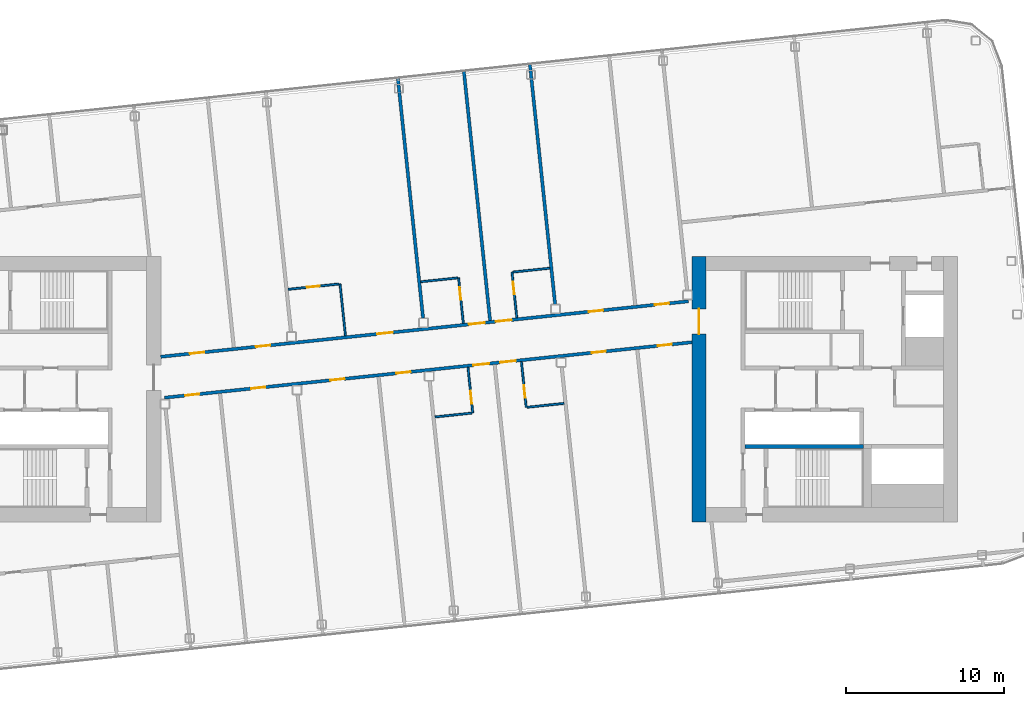
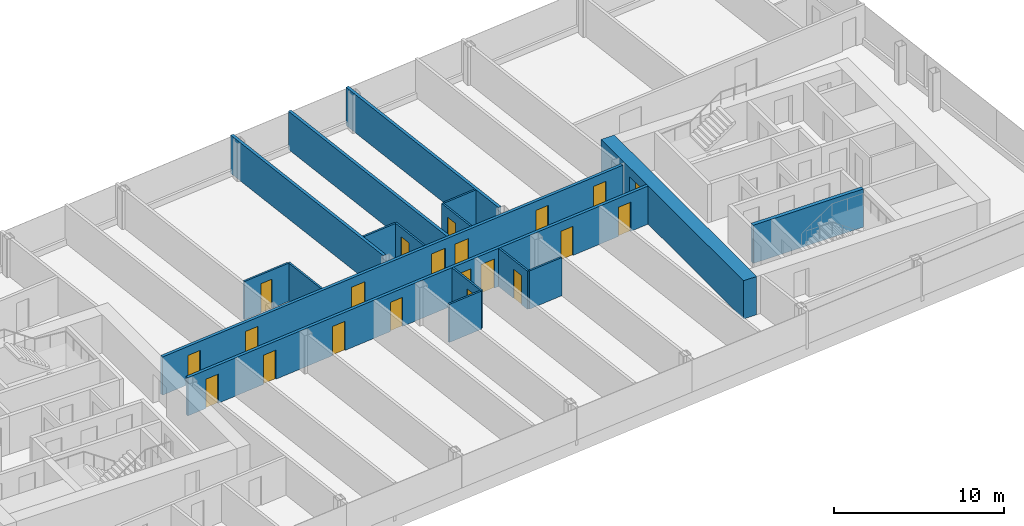
# One storey, part 16 of 27: 21 doors, 17 walls, 21 openings.
"""IFC4 building model written with IfcOpenShell, lengths in metres."""

from ifc_helpers import new_model, si_unit, direction, frame, frame_2d, origin, place, context, subcontext, project, spatial, rectangle, extrude, material, layer, layer_set, type_object, element, fill, save


model = new_model("IFC4")

# Units and contexts
model_context = context("Model", 3, precision=1e-05, world=origin(), true_north=direction((0.0, 1.0)))
body_context = subcontext(model_context, "Body", "Model", "MODEL_VIEW")
ifc_project = project(units=[si_unit("LENGTHUNIT", "METRE"), si_unit("AREAUNIT", "SQUARE_METRE"), si_unit("VOLUMEUNIT", "CUBIC_METRE"), si_unit("PLANEANGLEUNIT", "RADIAN"), si_unit("MASSUNIT", "GRAM", prefix="KILO")], contexts=[model_context])

# Site, building, storey
site_placement = place(None, origin())
site = spatial("IfcSite", under=ifc_project, at=site_placement, CompositionType="ELEMENT")
building_placement = place(site_placement, origin())
building = spatial("IfcBuilding", under=site, at=building_placement, Name="Hakoniwa Tower and Hamabe Station Hall", CompositionType="ELEMENT")
storey_placement = place(building_placement, frame((0.0, 0.0, 261.39990234375)))
storey = spatial("IfcBuildingStorey", under=building, at=storey_placement, Name="L74", CompositionType="ELEMENT", Elevation=261.39990234375)

# Walls
ifc_material_1 = material(Name="Gypsum board partition", Category="gypsum")
ifc_layer_1 = layer(ifc_material_1, 0.125)
ifc_layer_set_1 = layer_set([ifc_layer_1], Name="Bathroom Partition 125")
wall_type_1 = type_object("IfcWallType", Name="Bathroom Partition 125", PredefinedType="PARTITIONING", material=ifc_layer_set_1)
for number, where, z_axis, x_axis, name in (
    (1, (0.548828125, -1.76611328125, 0.0), (0.0, 0.0, 1.0), (0.994519751088, 0.104548862722, 0.0), "GW-L74-003"),
    (2, (6.37939453125, -1.153076171875, 0.0), (0.0, 0.0, 1.0), (0.994530605544, 0.104445558238, 0.0), "GW-L74-004"),
    (3, (-0.35009765625, 6.786865234375, 0.0), (0.0, 0.0, 1.0), (0.994519751088, 0.104548862722, 0.0), "GW-L74-007"),
    (4, (5.48046875, 7.399658203125, 0.0), (0.0, 0.0, 1.0), (0.994519751088, 0.104548862722, 0.0), "GW-L74-008"),
):
    element("IfcWall", number, at=place(storey_placement, frame(where, z_axis=z_axis, x_axis=x_axis)), inside=storey, type_object=wall_type_1, Name=name, PredefinedType="PARTITIONING", context=body_context, shape_type="SweptSolid", body=[
        extrude(rectangle(XDim=2.33740234375, YDim=0.125, at=frame_2d((1.168701171875, 0.0))), origin(), (0.0, 0.0, 1.0), 2.75),
    ])

# Wall, opening, door
wall_1_placement = place(storey_placement, frame((-8.745849609375, 6.306640625, 0.0), z_axis=(0.0, 0.0, 1.0), x_axis=(0.994522794159, 0.104519911488, 0.0)))
wall_1 = element("IfcWall", 5, at=wall_1_placement, inside=storey, type_object=wall_type_1, Name="GW-L74-009", PredefinedType="PARTITIONING", context=body_context, shape_type="SweptSolid", body=[
    extrude(rectangle(XDim=3.237548828125, YDim=0.125, at=frame_2d((1.61865234375, 0.0))), origin(), (0.0, 0.0, 1.0), 2.75),
])
opening_1_placement = place(wall_1_placement, frame((1.199951171875, 0.0, 0.0)))
opening_1 = element("IfcOpeningElement", 6, at=opening_1_placement, cuts=wall_1, Name="Opening GD-G5D1-21", PredefinedType="OPENING", context=body_context, shape_type="SweptSolid", body=[
    extrude(rectangle(XDim=0.800048828125, YDim=2.10009765625, at=frame_2d((0.39990234375, 1.050048828125))), frame((0.0, 0.072509765625, 0.0), z_axis=(0.0, -1.0, 0.0), x_axis=(1.0, 0.0, 0.0)), (0.0, 0.0, 1.0), 0.14501953125),
])
ifc_material_2 = material(Name="Timber door leaf", Category="wood")
door_type_1 = type_object("IfcDoorType", Name="Bathroom Door 800", OperationType="SINGLE_SWING_LEFT", PredefinedType="DOOR", material=ifc_material_2)
door_1_placement = place(opening_1_placement, origin())
door_1 = element("IfcDoor", 7, at=door_1_placement, inside=storey, type_object=door_type_1, Name="Door GD-G5D1-21", OperationType="SINGLE_SWING_RIGHT", OverallHeight=2.10009765625, OverallWidth=0.800048828125, PredefinedType="DOOR", context=body_context, shape_type="SweptSolid", body=[
    extrude(rectangle(XDim=0.800048828125, YDim=2.10009765625, at=frame_2d((0.39990234375, 1.050048828125))), frame((0.0, 0.02490234375, 0.0), z_axis=(0.0, -1.0, 0.0), x_axis=(1.0, 0.0, 0.0)), (0.0, 0.0, 1.0), 0.050048828125),
])
fill(opening_1, door_1)

# Wall
wall_2_placement = place(storey_placement, frame((-5.118896484375, 3.36962890625, 0.0), z_axis=(0.0, 0.0, 1.0), x_axis=(-0.104534592565, 0.994521251134, 0.0)))
element("IfcWall", 8, at=wall_2_placement, inside=storey, type_object=wall_type_1, Name="GW-L74-029", PredefinedType="PARTITIONING", context=body_context, shape_type="SweptSolid", body=[
    extrude(rectangle(XDim=3.300048828125, YDim=0.125, at=frame_2d((1.64990234375, 0.0))), origin(), (0.0, 0.0, 1.0), 2.75),
])

# Wall, opening, door
wall_3_placement = place(storey_placement, frame((2.935791015625, -1.51513671875, 0.0), z_axis=(0.0, 0.0, 1.0), x_axis=(-0.104562076147, 0.994518361938, 0.0)))
wall_3 = element("IfcWall", 9, at=wall_3_placement, inside=storey, type_object=wall_type_1, Name="GW-L74-033", PredefinedType="PARTITIONING", context=body_context, shape_type="SweptSolid", body=[
    extrude(rectangle(XDim=2.89990234375, YDim=0.125, at=frame_2d((1.449951171875, 0.0))), origin(), (0.0, 0.0, 1.0), 2.75),
])
opening_2_placement = place(wall_3_placement, frame((0.60009765625, 0.0, 0.0)))
opening_2 = element("IfcOpeningElement", 10, at=opening_2_placement, cuts=wall_3, Name="Opening GD-G5D1-31", PredefinedType="OPENING", context=body_context, shape_type="SweptSolid", body=[
    extrude(rectangle(XDim=0.800048828125, YDim=2.10009765625, at=frame_2d((0.39990234375, 1.050048828125))), frame((0.0, 0.072509765625, 0.0), z_axis=(0.0, -1.0, 0.0), x_axis=(1.0, 0.0, 0.0)), (0.0, 0.0, 1.0), 0.14501953125),
])
door_2_placement = place(opening_2_placement, origin())
door_2 = element("IfcDoor", 11, at=door_2_placement, inside=storey, type_object=door_type_1, Name="Door GD-G5D1-31", OperationType="SINGLE_SWING_RIGHT", OverallHeight=2.10009765625, OverallWidth=0.800048828125, PredefinedType="DOOR", context=body_context, shape_type="SweptSolid", body=[
    extrude(rectangle(XDim=0.800048828125, YDim=2.10009765625, at=frame_2d((0.39990234375, 1.050048828125))), frame((0.0, 0.02490234375, 0.0), z_axis=(0.0, -1.0, 0.0), x_axis=(1.0, 0.0, 0.0)), (0.0, 0.0, 1.0), 0.050048828125),
])
fill(opening_2, door_2)

wall_4_placement = place(storey_placement, frame((2.33984375, 4.153564453125, 0.0), z_axis=(0.0, 0.0, 1.0), x_axis=(-0.104470059912, 0.994528032074, 0.0)))
wall_4 = element("IfcWall", 12, at=wall_4_placement, inside=storey, type_object=wall_type_1, Name="GW-L74-034", PredefinedType="PARTITIONING", context=body_context, shape_type="SweptSolid", body=[
    extrude(rectangle(XDim=2.900146484375, YDim=0.125, at=frame_2d((1.4501953125, 0.0))), origin(), (0.0, 0.0, 1.0), 2.75),
])
opening_3_placement = place(wall_4_placement, frame((1.5, 0.0, 0.0)))
opening_3 = element("IfcOpeningElement", 13, at=opening_3_placement, cuts=wall_4, Name="Opening GD-G5D1-32", PredefinedType="OPENING", context=body_context, shape_type="SweptSolid", body=[
    extrude(rectangle(XDim=0.800048828125, YDim=2.10009765625, at=frame_2d((0.39990234375, 1.050048828125))), frame((0.0, 0.072509765625, 0.0), z_axis=(0.0, -1.0, 0.0), x_axis=(1.0, 0.0, 0.0)), (0.0, 0.0, 1.0), 0.14501953125),
])
door_3_placement = place(opening_3_placement, origin())
door_3 = element("IfcDoor", 14, at=door_3_placement, inside=storey, type_object=door_type_1, Name="Door GD-G5D1-32", OperationType="SINGLE_SWING_LEFT", OverallHeight=2.10009765625, OverallWidth=0.800048828125, PredefinedType="DOOR", context=body_context, shape_type="SweptSolid", body=[
    extrude(rectangle(XDim=0.800048828125, YDim=2.10009765625, at=frame_2d((0.39990234375, 1.050048828125))), frame((0.0, 0.02490234375, 0.0), z_axis=(0.0, -1.0, 0.0), x_axis=(1.0, 0.0, 0.0)), (0.0, 0.0, 1.0), 0.050048828125),
])
fill(opening_3, door_3)

wall_5_placement = place(storey_placement, frame((6.317138671875, -1.15966796875, 0.0), z_axis=(0.0, 0.0, 1.0), x_axis=(-0.104562076147, 0.994518361938, 0.0)))
wall_5 = element("IfcWall", 15, at=wall_5_placement, inside=storey, type_object=wall_type_1, Name="GW-L74-037", PredefinedType="PARTITIONING", context=body_context, shape_type="SweptSolid", body=[
    extrude(rectangle(XDim=2.89990234375, YDim=0.125, at=frame_2d((1.449951171875, 0.0))), origin(), (0.0, 0.0, 1.0), 2.75),
])
opening_4_placement = place(wall_5_placement, frame((0.60009765625, 0.0, 0.0)))
opening_4 = element("IfcOpeningElement", 16, at=opening_4_placement, cuts=wall_5, Name="Opening GD-G5D1-33", PredefinedType="OPENING", context=body_context, shape_type="SweptSolid", body=[
    extrude(rectangle(XDim=0.800048828125, YDim=2.10009765625, at=frame_2d((0.39990234375, 1.050048828125))), frame((0.0, 0.072509765625, 0.0), z_axis=(0.0, -1.0, 0.0), x_axis=(1.0, 0.0, 0.0)), (0.0, 0.0, 1.0), 0.14501953125),
])
door_4_placement = place(opening_4_placement, origin())
door_4 = element("IfcDoor", 17, at=door_4_placement, inside=storey, type_object=door_type_1, Name="Door GD-G5D1-33", OperationType="SINGLE_SWING_LEFT", OverallHeight=2.10009765625, OverallWidth=0.800048828125, PredefinedType="DOOR", context=body_context, shape_type="SweptSolid", body=[
    extrude(rectangle(XDim=0.800048828125, YDim=2.10009765625, at=frame_2d((0.39990234375, 1.050048828125))), frame((0.0, 0.02490234375, 0.0), z_axis=(0.0, -1.0, 0.0), x_axis=(1.0, 0.0, 0.0)), (0.0, 0.0, 1.0), 0.050048828125),
])
fill(opening_4, door_4)

wall_6_placement = place(storey_placement, frame((5.721435546875, 4.509033203125, 0.0), z_axis=(0.0, 0.0, 1.0), x_axis=(-0.104562076147, 0.994518361938, 0.0)))
wall_6 = element("IfcWall", 18, at=wall_6_placement, inside=storey, type_object=wall_type_1, Name="GW-L74-038", PredefinedType="PARTITIONING", context=body_context, shape_type="SweptSolid", body=[
    extrude(rectangle(XDim=2.89990234375, YDim=0.125, at=frame_2d((1.449951171875, 0.0))), origin(), (0.0, 0.0, 1.0), 2.75),
])
opening_5_placement = place(wall_6_placement, frame((1.5, 0.0, 0.0)))
opening_5 = element("IfcOpeningElement", 19, at=opening_5_placement, cuts=wall_6, Name="Opening GD-G5D1-34", PredefinedType="OPENING", context=body_context, shape_type="SweptSolid", body=[
    extrude(rectangle(XDim=0.800048828125, YDim=2.10009765625, at=frame_2d((0.39990234375, 1.050048828125))), frame((0.0, 0.072509765625, 0.0), z_axis=(0.0, -1.0, 0.0), x_axis=(1.0, 0.0, 0.0)), (0.0, 0.0, 1.0), 0.14501953125),
])
door_5_placement = place(opening_5_placement, origin())
door_5 = element("IfcDoor", 20, at=door_5_placement, inside=storey, type_object=door_type_1, Name="Door GD-G5D1-34", OperationType="SINGLE_SWING_RIGHT", OverallHeight=2.10009765625, OverallWidth=0.800048828125, PredefinedType="DOOR", context=body_context, shape_type="SweptSolid", body=[
    extrude(rectangle(XDim=0.800048828125, YDim=2.10009765625, at=frame_2d((0.39990234375, 1.050048828125))), frame((0.0, 0.02490234375, 0.0), z_axis=(0.0, -1.0, 0.0), x_axis=(1.0, 0.0, 0.0)), (0.0, 0.0, 1.0), 0.050048828125),
])
fill(opening_5, door_5)

ifc_material_3 = material(Name="Concrete C60", Category="concrete")
ifc_layer_2 = layer(ifc_material_3, 0.89990234375)
ifc_layer_set_2 = layer_set([ifc_layer_2], Name="CORE WALL 900 C60")
wall_type_2 = type_object("IfcWallType", Name="CORE WALL 900 C60", PredefinedType="SHEAR", material=ifc_layer_set_2)
wall_7_placement = place(storey_placement, frame((17.25, -8.39990234375, 0.0), z_axis=(0.0, 0.0, 1.0), x_axis=(0.0, 1.0, 0.0)))
wall_7 = element("IfcWall", 21, at=wall_7_placement, inside=storey, type_object=wall_type_2, Name="Core wall INNER east", PredefinedType="SHEAR", context=body_context, shape_type="SweptSolid", body=[
    extrude(rectangle(XDim=16.7998046875, YDim=0.89990234375, at=frame_2d((8.39990234375, 0.0))), origin(), (0.0, 0.0, 1.0), 2.75),
])
opening_6_placement = place(wall_7_placement, frame((11.87890625, 0.0, 0.0)))
opening_6 = element("IfcOpeningElement", 22, at=opening_6_placement, cuts=wall_7, Name="Opening CD-E-IN1-16", PredefinedType="OPENING", context=body_context, shape_type="SweptSolid", body=[
    extrude(rectangle(XDim=1.60009765625, YDim=2.10009765625, at=frame_2d((0.800048828125, 1.050048828125))), frame((0.0, 0.4599609375, 0.0), z_axis=(0.0, -1.0, 0.0), x_axis=(1.0, 0.0, 0.0)), (0.0, 0.0, 1.0), 0.919921875),
])
ifc_material_4 = material(Name="Steel fire door", Category="steel")
door_type_2 = type_object("IfcDoorType", Name="CORE DOOR 1600 FD60", OperationType="DOUBLE_DOOR_SINGLE_SWING", PredefinedType="DOOR", material=ifc_material_4)
door_6_placement = place(opening_6_placement, origin())
door_6 = element("IfcDoor", 23, at=door_6_placement, inside=storey, type_object=door_type_2, Name="Lift lobby door", OperationType="DOUBLE_DOOR_SINGLE_SWING", OverallHeight=2.10009765625, OverallWidth=1.60009765625, PredefinedType="DOOR", context=body_context, shape_type="SweptSolid", body=[
    extrude(rectangle(XDim=1.60009765625, YDim=2.10009765625, at=frame_2d((0.800048828125, 1.050048828125))), frame((0.0, 0.02490234375, 0.0), z_axis=(0.0, -1.0, 0.0), x_axis=(1.0, 0.0, 0.0)), (0.0, 0.0, 1.0), 0.050048828125),
])
fill(opening_6, door_6)

# Wall
ifc_material_5 = material(Name="Concrete C60", Category="concrete")
ifc_layer_3 = layer(ifc_material_5, 0.25)
ifc_layer_set_3 = layer_set([ifc_layer_3], Name="CORE WEB WALL 250 C60")
wall_type_3 = type_object("IfcWallType", Name="CORE WEB WALL 250 C60", PredefinedType="SHEAR", material=ifc_layer_set_3)
wall_8_placement = place(storey_placement, frame((20.14990234375, -3.625, 0.0), z_axis=(0.0, 0.0, 1.0), x_axis=(1.0, 0.0, 0.0)))
element("IfcWall", 24, at=wall_8_placement, inside=storey, type_object=wall_type_3, Name="Core wall SR east", PredefinedType="SHEAR", context=body_context, shape_type="SweptSolid", body=[
    extrude(rectangle(XDim=7.5, YDim=0.25, at=frame_2d((3.75, 0.0))), origin(), (0.0, 0.0, 1.0), 2.75),
])

# Wall, openings, doors
ifc_material_6 = material(Name="Fire-rated gypsum board partition", Category="gypsum")
ifc_layer_4 = layer(ifc_material_6, 0.199951171875)
ifc_layer_set_4 = layer_set([ifc_layer_4], Name="Corridor Wall 200")
wall_type_4 = type_object("IfcWallType", Name="Corridor Wall 200", PredefinedType="PARTITIONING", material=ifc_layer_set_4)
wall_9_placement = place(storey_placement, frame((-16.572021484375, -0.549072265625, 0.0), z_axis=(0.0, 0.0, 1.0), x_axis=(0.994521146831, 0.104535584879, 0.0)))
wall_9 = element("IfcWall", 25, at=wall_9_placement, inside=storey, type_object=wall_type_4, Name="GW-L74-005", PredefinedType="PARTITIONING", context=body_context, shape_type="SweptSolid", body=[
    extrude(rectangle(XDim=33.560791015625, YDim=0.199951171875, at=frame_2d((16.7802734375, 0.0))), origin(), (0.0, 0.0, 1.0), 2.75),
])
opening_7_placement = place(wall_9_placement, frame((1.31494140625, 0.0, 0.0)))
opening_7 = element("IfcOpeningElement", 26, at=opening_7_placement, cuts=wall_9, Name="Opening GD-G5D1-06", PredefinedType="OPENING", context=body_context, shape_type="SweptSolid", body=[
    extrude(rectangle(XDim=0.89990234375, YDim=2.10009765625, at=frame_2d((0.449951171875, 1.050048828125))), frame((0.0, 0.10986328125, 0.0), z_axis=(0.0, -1.0, 0.0), x_axis=(1.0, 0.0, 0.0)), (0.0, 0.0, 1.0), 0.219970703125),
])
opening_8_placement = place(wall_9_placement, frame((5.514892578125, 0.0, 0.0)))
opening_8 = element("IfcOpeningElement", 27, at=opening_8_placement, cuts=wall_9, Name="Opening GD-G5D1-07", PredefinedType="OPENING", context=body_context, shape_type="SweptSolid", body=[
    extrude(rectangle(XDim=0.89990234375, YDim=2.10009765625, at=frame_2d((0.449951171875, 1.050048828125))), frame((0.0, 0.10986328125, 0.0), z_axis=(0.0, -1.0, 0.0), x_axis=(1.0, 0.0, 0.0)), (0.0, 0.0, 1.0), 0.219970703125),
])
opening_9_placement = place(wall_9_placement, frame((10.554931640625, 0.0, 0.0)))
opening_9 = element("IfcOpeningElement", 28, at=opening_9_placement, cuts=wall_9, Name="Opening GD-G5D1-08", PredefinedType="OPENING", context=body_context, shape_type="SweptSolid", body=[
    extrude(rectangle(XDim=0.89990234375, YDim=2.10009765625, at=frame_2d((0.449951171875, 1.050048828125))), frame((0.0, 0.10986328125, 0.0), z_axis=(0.0, -1.0, 0.0), x_axis=(1.0, 0.0, 0.0)), (0.0, 0.0, 1.0), 0.219970703125),
])
opening_10_placement = place(wall_9_placement, frame((14.7548828125, 0.0, 0.0)))
opening_10 = element("IfcOpeningElement", 29, at=opening_10_placement, cuts=wall_9, Name="Opening GD-G5D1-09", PredefinedType="OPENING", context=body_context, shape_type="SweptSolid", body=[
    extrude(rectangle(XDim=0.89990234375, YDim=2.10009765625, at=frame_2d((0.449951171875, 1.050048828125))), frame((0.0, 0.10986328125, 0.0), z_axis=(0.0, -1.0, 0.0), x_axis=(1.0, 0.0, 0.0)), (0.0, 0.0, 1.0), 0.219970703125),
])
opening_11_placement = place(wall_9_placement, frame((19.64990234375, 0.0, 0.0)))
opening_11 = element("IfcOpeningElement", 30, at=opening_11_placement, cuts=wall_9, Name="Opening GD-G5D1-10", PredefinedType="OPENING", context=body_context, shape_type="SweptSolid", body=[
    extrude(rectangle(XDim=1.0, YDim=2.10009765625, at=frame_2d((0.5, 1.050048828125))), frame((0.0, 0.10986328125, 0.0), z_axis=(0.0, -1.0, 0.0), x_axis=(1.0, 0.0, 0.0)), (0.0, 0.0, 1.0), 0.219970703125),
])
opening_12_placement = place(wall_9_placement, frame((21.35009765625, 0.0, 0.0)))
opening_12 = element("IfcOpeningElement", 31, at=opening_12_placement, cuts=wall_9, Name="Opening GD-G5D1-11", PredefinedType="OPENING", context=body_context, shape_type="SweptSolid", body=[
    extrude(rectangle(XDim=1.0, YDim=2.10009765625, at=frame_2d((0.5, 1.050048828125))), frame((0.0, 0.10986328125, 0.0), z_axis=(0.0, -1.0, 0.0), x_axis=(1.0, 0.0, 0.0)), (0.0, 0.0, 1.0), 0.219970703125),
])
opening_13_placement = place(wall_9_placement, frame((27.18505859375, 0.0, 0.0)))
opening_13 = element("IfcOpeningElement", 32, at=opening_13_placement, cuts=wall_9, Name="Opening GD-G5D1-12", PredefinedType="OPENING", context=body_context, shape_type="SweptSolid", body=[
    extrude(rectangle(XDim=0.89990234375, YDim=2.10009765625, at=frame_2d((0.449951171875, 1.050048828125))), frame((0.0, 0.10986328125, 0.0), z_axis=(0.0, -1.0, 0.0), x_axis=(1.0, 0.0, 0.0)), (0.0, 0.0, 1.0), 0.219970703125),
])
opening_14_placement = place(wall_9_placement, frame((31.385009765625, 0.0, 0.0)))
opening_14 = element("IfcOpeningElement", 33, at=opening_14_placement, cuts=wall_9, Name="Opening GD-G5D1-13", PredefinedType="OPENING", context=body_context, shape_type="SweptSolid", body=[
    extrude(rectangle(XDim=0.89990234375, YDim=2.10009765625, at=frame_2d((0.449951171875, 1.050048828125))), frame((0.0, 0.10986328125, 0.0), z_axis=(0.0, -1.0, 0.0), x_axis=(1.0, 0.0, 0.0)), (0.0, 0.0, 1.0), 0.219970703125),
])
ifc_material_7 = material(Name="Timber door leaf", Category="wood")
door_type_3 = type_object("IfcDoorType", Name="Guest Entrance Door 1000", OperationType="SINGLE_SWING_LEFT", PredefinedType="DOOR", material=ifc_material_7)
door_7_placement = place(opening_11_placement, origin())
door_7 = element("IfcDoor", 34, at=door_7_placement, inside=storey, type_object=door_type_3, Name="Door GD-G5D1-10", OperationType="SINGLE_SWING_RIGHT", OverallHeight=2.10009765625, OverallWidth=1.0, PredefinedType="DOOR", context=body_context, shape_type="SweptSolid", body=[
    extrude(rectangle(XDim=1.0, YDim=2.10009765625, at=frame_2d((0.5, 1.050048828125))), frame((0.0, 0.02490234375, 0.0), z_axis=(0.0, -1.0, 0.0), x_axis=(1.0, 0.0, 0.0)), (0.0, 0.0, 1.0), 0.050048828125),
])
fill(opening_11, door_7)
door_8_placement = place(opening_12_placement, origin())
door_8 = element("IfcDoor", 35, at=door_8_placement, inside=storey, type_object=door_type_3, Name="Door GD-G5D1-11", OperationType="SINGLE_SWING_LEFT", OverallHeight=2.10009765625, OverallWidth=1.0, PredefinedType="DOOR", context=body_context, shape_type="SweptSolid", body=[
    extrude(rectangle(XDim=1.0, YDim=2.10009765625, at=frame_2d((0.5, 1.050048828125))), frame((0.0, 0.02490234375, 0.0), z_axis=(0.0, -1.0, 0.0), x_axis=(1.0, 0.0, 0.0)), (0.0, 0.0, 1.0), 0.050048828125),
])
fill(opening_12, door_8)
ifc_material_8 = material(Name="Timber door leaf", Category="wood")
door_type_4 = type_object("IfcDoorType", Name="Service Door 900", OperationType="SINGLE_SWING_LEFT", PredefinedType="DOOR", material=ifc_material_8)
door_9_placement = place(opening_7_placement, origin())
door_9 = element("IfcDoor", 36, at=door_9_placement, inside=storey, type_object=door_type_4, Name="Door GD-G5D1-06", OperationType="SINGLE_SWING_RIGHT", OverallHeight=2.10009765625, OverallWidth=0.89990234375, PredefinedType="DOOR", context=body_context, shape_type="SweptSolid", body=[
    extrude(rectangle(XDim=0.89990234375, YDim=2.10009765625, at=frame_2d((0.449951171875, 1.050048828125))), frame((0.0, 0.02490234375, 0.0), z_axis=(0.0, -1.0, 0.0), x_axis=(1.0, 0.0, 0.0)), (0.0, 0.0, 1.0), 0.050048828125),
])
fill(opening_7, door_9)
door_10_placement = place(opening_8_placement, origin())
door_10 = element("IfcDoor", 37, at=door_10_placement, inside=storey, type_object=door_type_4, Name="Door GD-G5D1-07", OperationType="SINGLE_SWING_RIGHT", OverallHeight=2.10009765625, OverallWidth=0.89990234375, PredefinedType="DOOR", context=body_context, shape_type="SweptSolid", body=[
    extrude(rectangle(XDim=0.89990234375, YDim=2.10009765625, at=frame_2d((0.449951171875, 1.050048828125))), frame((0.0, 0.02490234375, 0.0), z_axis=(0.0, -1.0, 0.0), x_axis=(1.0, 0.0, 0.0)), (0.0, 0.0, 1.0), 0.050048828125),
])
fill(opening_8, door_10)
door_11_placement = place(opening_9_placement, origin())
door_11 = element("IfcDoor", 38, at=door_11_placement, inside=storey, type_object=door_type_4, Name="Door GD-G5D1-08", OperationType="SINGLE_SWING_LEFT", OverallHeight=2.10009765625, OverallWidth=0.89990234375, PredefinedType="DOOR", context=body_context, shape_type="SweptSolid", body=[
    extrude(rectangle(XDim=0.89990234375, YDim=2.10009765625, at=frame_2d((0.449951171875, 1.050048828125))), frame((0.0, 0.02490234375, 0.0), z_axis=(0.0, -1.0, 0.0), x_axis=(1.0, 0.0, 0.0)), (0.0, 0.0, 1.0), 0.050048828125),
])
fill(opening_9, door_11)
door_12_placement = place(opening_10_placement, origin())
door_12 = element("IfcDoor", 39, at=door_12_placement, inside=storey, type_object=door_type_4, Name="Door GD-G5D1-09", OperationType="SINGLE_SWING_LEFT", OverallHeight=2.10009765625, OverallWidth=0.89990234375, PredefinedType="DOOR", context=body_context, shape_type="SweptSolid", body=[
    extrude(rectangle(XDim=0.89990234375, YDim=2.10009765625, at=frame_2d((0.449951171875, 1.050048828125))), frame((0.0, 0.02490234375, 0.0), z_axis=(0.0, -1.0, 0.0), x_axis=(1.0, 0.0, 0.0)), (0.0, 0.0, 1.0), 0.050048828125),
])
fill(opening_10, door_12)
door_13_placement = place(opening_13_placement, origin())
door_13 = element("IfcDoor", 40, at=door_13_placement, inside=storey, type_object=door_type_4, Name="Door GD-G5D1-12", OperationType="SINGLE_SWING_RIGHT", OverallHeight=2.10009765625, OverallWidth=0.89990234375, PredefinedType="DOOR", context=body_context, shape_type="SweptSolid", body=[
    extrude(rectangle(XDim=0.89990234375, YDim=2.10009765625, at=frame_2d((0.449951171875, 1.050048828125))), frame((0.0, 0.02490234375, 0.0), z_axis=(0.0, -1.0, 0.0), x_axis=(1.0, 0.0, 0.0)), (0.0, 0.0, 1.0), 0.050048828125),
])
fill(opening_13, door_13)
door_14_placement = place(opening_14_placement, origin())
door_14 = element("IfcDoor", 41, at=door_14_placement, inside=storey, type_object=door_type_4, Name="Door GD-G5D1-13", OperationType="SINGLE_SWING_LEFT", OverallHeight=2.10009765625, OverallWidth=0.89990234375, PredefinedType="DOOR", context=body_context, shape_type="SweptSolid", body=[
    extrude(rectangle(XDim=0.89990234375, YDim=2.10009765625, at=frame_2d((0.449951171875, 1.050048828125))), frame((0.0, 0.02490234375, 0.0), z_axis=(0.0, -1.0, 0.0), x_axis=(1.0, 0.0, 0.0)), (0.0, 0.0, 1.0), 0.050048828125),
])
fill(opening_14, door_14)

wall_10_placement = place(storey_placement, frame((-16.804931640625, 2.040771484375, 0.0), z_axis=(0.0, 0.0, 1.0), x_axis=(0.994521146831, 0.104535584879, 0.0)))
wall_10 = element("IfcWall", 42, at=wall_10_placement, inside=storey, type_object=wall_type_4, Name="GW-L74-006", PredefinedType="PARTITIONING", context=body_context, shape_type="SweptSolid", body=[
    extrude(rectangle(XDim=33.560791015625, YDim=0.199951171875, at=frame_2d((16.7802734375, 0.0))), origin(), (0.0, 0.0, 1.0), 2.75),
])
opening_15_placement = place(wall_10_placement, frame((1.86083984375, 0.0, 0.0)))
opening_15 = element("IfcOpeningElement", 43, at=opening_15_placement, cuts=wall_10, Name="Opening GD-G5D1-14", PredefinedType="OPENING", context=body_context, shape_type="SweptSolid", body=[
    extrude(rectangle(XDim=0.89990234375, YDim=2.10009765625, at=frame_2d((0.449951171875, 1.050048828125))), frame((0.0, 0.10986328125, 0.0), z_axis=(0.0, -1.0, 0.0), x_axis=(1.0, 0.0, 0.0)), (0.0, 0.0, 1.0), 0.219970703125),
])
opening_16_placement = place(wall_10_placement, frame((6.060791015625, 0.0, 0.0)))
opening_16 = element("IfcOpeningElement", 44, at=opening_16_placement, cuts=wall_10, Name="Opening GD-G5D1-15", PredefinedType="OPENING", context=body_context, shape_type="SweptSolid", body=[
    extrude(rectangle(XDim=0.89990234375, YDim=2.10009765625, at=frame_2d((0.449951171875, 1.050048828125))), frame((0.0, 0.10986328125, 0.0), z_axis=(0.0, -1.0, 0.0), x_axis=(1.0, 0.0, 0.0)), (0.0, 0.0, 1.0), 0.219970703125),
])
opening_17_placement = place(wall_10_placement, frame((13.760986328125, 0.0, 0.0)))
opening_17 = element("IfcOpeningElement", 45, at=opening_17_placement, cuts=wall_10, Name="Opening GD-G5D1-16", PredefinedType="OPENING", context=body_context, shape_type="SweptSolid", body=[
    extrude(rectangle(XDim=1.0, YDim=2.10009765625, at=frame_2d((0.5, 1.050048828125))), frame((0.0, 0.10986328125, 0.0), z_axis=(0.0, -1.0, 0.0), x_axis=(1.0, 0.0, 0.0)), (0.0, 0.0, 1.0), 0.219970703125),
])
opening_18_placement = place(wall_10_placement, frame((19.61083984375, 0.0, 0.0)))
opening_18 = element("IfcOpeningElement", 46, at=opening_18_placement, cuts=wall_10, Name="Opening GD-G5D1-17", PredefinedType="OPENING", context=body_context, shape_type="SweptSolid", body=[
    extrude(rectangle(XDim=1.0, YDim=2.10009765625, at=frame_2d((0.5, 1.050048828125))), frame((0.0, 0.10986328125, 0.0), z_axis=(0.0, -1.0, 0.0), x_axis=(1.0, 0.0, 0.0)), (0.0, 0.0, 1.0), 0.219970703125),
])
opening_19_placement = place(wall_10_placement, frame((21.310791015625, 0.0, 0.0)))
opening_19 = element("IfcOpeningElement", 47, at=opening_19_placement, cuts=wall_10, Name="Opening GD-G5D1-18", PredefinedType="OPENING", context=body_context, shape_type="SweptSolid", body=[
    extrude(rectangle(XDim=1.0, YDim=2.10009765625, at=frame_2d((0.5, 1.050048828125))), frame((0.0, 0.10986328125, 0.0), z_axis=(0.0, -1.0, 0.0), x_axis=(1.0, 0.0, 0.0)), (0.0, 0.0, 1.0), 0.219970703125),
])
opening_20_placement = place(wall_10_placement, frame((27.23095703125, 0.0, 0.0)))
opening_20 = element("IfcOpeningElement", 48, at=opening_20_placement, cuts=wall_10, Name="Opening GD-G5D1-19", PredefinedType="OPENING", context=body_context, shape_type="SweptSolid", body=[
    extrude(rectangle(XDim=0.89990234375, YDim=2.10009765625, at=frame_2d((0.449951171875, 1.050048828125))), frame((0.0, 0.10986328125, 0.0), z_axis=(0.0, -1.0, 0.0), x_axis=(1.0, 0.0, 0.0)), (0.0, 0.0, 1.0), 0.219970703125),
])
opening_21_placement = place(wall_10_placement, frame((31.430908203125, 0.0, 0.0)))
opening_21 = element("IfcOpeningElement", 49, at=opening_21_placement, cuts=wall_10, Name="Opening GD-G5D1-20", PredefinedType="OPENING", context=body_context, shape_type="SweptSolid", body=[
    extrude(rectangle(XDim=0.89990234375, YDim=2.10009765625, at=frame_2d((0.449951171875, 1.050048828125))), frame((0.0, 0.10986328125, 0.0), z_axis=(0.0, -1.0, 0.0), x_axis=(1.0, 0.0, 0.0)), (0.0, 0.0, 1.0), 0.219970703125),
])
door_15_placement = place(opening_17_placement, origin())
door_15 = element("IfcDoor", 50, at=door_15_placement, inside=storey, type_object=door_type_3, Name="Door GD-G5D1-16", OperationType="SINGLE_SWING_LEFT", OverallHeight=2.10009765625, OverallWidth=1.0, PredefinedType="DOOR", context=body_context, shape_type="SweptSolid", body=[
    extrude(rectangle(XDim=1.0, YDim=2.10009765625, at=frame_2d((0.5, 1.050048828125))), frame((0.0, 0.02490234375, 0.0), z_axis=(0.0, -1.0, 0.0), x_axis=(1.0, 0.0, 0.0)), (0.0, 0.0, 1.0), 0.050048828125),
])
fill(opening_17, door_15)
door_16_placement = place(opening_18_placement, origin())
door_16 = element("IfcDoor", 51, at=door_16_placement, inside=storey, type_object=door_type_3, Name="Door GD-G5D1-17", OperationType="SINGLE_SWING_RIGHT", OverallHeight=2.10009765625, OverallWidth=1.0, PredefinedType="DOOR", context=body_context, shape_type="SweptSolid", body=[
    extrude(rectangle(XDim=1.0, YDim=2.10009765625, at=frame_2d((0.5, 1.050048828125))), frame((0.0, 0.02490234375, 0.0), z_axis=(0.0, -1.0, 0.0), x_axis=(1.0, 0.0, 0.0)), (0.0, 0.0, 1.0), 0.050048828125),
])
fill(opening_18, door_16)
door_17_placement = place(opening_19_placement, origin())
door_17 = element("IfcDoor", 52, at=door_17_placement, inside=storey, type_object=door_type_3, Name="Door GD-G5D1-18", OperationType="SINGLE_SWING_LEFT", OverallHeight=2.10009765625, OverallWidth=1.0, PredefinedType="DOOR", context=body_context, shape_type="SweptSolid", body=[
    extrude(rectangle(XDim=1.0, YDim=2.10009765625, at=frame_2d((0.5, 1.050048828125))), frame((0.0, 0.02490234375, 0.0), z_axis=(0.0, -1.0, 0.0), x_axis=(1.0, 0.0, 0.0)), (0.0, 0.0, 1.0), 0.050048828125),
])
fill(opening_19, door_17)
door_18_placement = place(opening_15_placement, origin())
door_18 = element("IfcDoor", 53, at=door_18_placement, inside=storey, type_object=door_type_4, Name="Door GD-G5D1-14", OperationType="SINGLE_SWING_LEFT", OverallHeight=2.10009765625, OverallWidth=0.89990234375, PredefinedType="DOOR", context=body_context, shape_type="SweptSolid", body=[
    extrude(rectangle(XDim=0.89990234375, YDim=2.10009765625, at=frame_2d((0.449951171875, 1.050048828125))), frame((0.0, 0.02490234375, 0.0), z_axis=(0.0, -1.0, 0.0), x_axis=(1.0, 0.0, 0.0)), (0.0, 0.0, 1.0), 0.050048828125),
])
fill(opening_15, door_18)
door_19_placement = place(opening_16_placement, origin())
door_19 = element("IfcDoor", 54, at=door_19_placement, inside=storey, type_object=door_type_4, Name="Door GD-G5D1-15", OperationType="SINGLE_SWING_RIGHT", OverallHeight=2.10009765625, OverallWidth=0.89990234375, PredefinedType="DOOR", context=body_context, shape_type="SweptSolid", body=[
    extrude(rectangle(XDim=0.89990234375, YDim=2.10009765625, at=frame_2d((0.449951171875, 1.050048828125))), frame((0.0, 0.02490234375, 0.0), z_axis=(0.0, -1.0, 0.0), x_axis=(1.0, 0.0, 0.0)), (0.0, 0.0, 1.0), 0.050048828125),
])
fill(opening_16, door_19)
door_20_placement = place(opening_20_placement, origin())
door_20 = element("IfcDoor", 55, at=door_20_placement, inside=storey, type_object=door_type_4, Name="Door GD-G5D1-19", OperationType="SINGLE_SWING_RIGHT", OverallHeight=2.10009765625, OverallWidth=0.89990234375, PredefinedType="DOOR", context=body_context, shape_type="SweptSolid", body=[
    extrude(rectangle(XDim=0.89990234375, YDim=2.10009765625, at=frame_2d((0.449951171875, 1.050048828125))), frame((0.0, 0.02490234375, 0.0), z_axis=(0.0, -1.0, 0.0), x_axis=(1.0, 0.0, 0.0)), (0.0, 0.0, 1.0), 0.050048828125),
])
fill(opening_20, door_20)
door_21_placement = place(opening_21_placement, origin())
door_21 = element("IfcDoor", 56, at=door_21_placement, inside=storey, type_object=door_type_4, Name="Door GD-G5D1-20", OperationType="SINGLE_SWING_RIGHT", OverallHeight=2.10009765625, OverallWidth=0.89990234375, PredefinedType="DOOR", context=body_context, shape_type="SweptSolid", body=[
    extrude(rectangle(XDim=0.89990234375, YDim=2.10009765625, at=frame_2d((0.449951171875, 1.050048828125))), frame((0.0, 0.02490234375, 0.0), z_axis=(0.0, -1.0, 0.0), x_axis=(1.0, 0.0, 0.0)), (0.0, 0.0, 1.0), 0.050048828125),
])
fill(opening_21, door_21)

# Walls
ifc_material_9 = material(Name="Fire-rated gypsum board partition", Category="gypsum")
ifc_layer_5 = layer(ifc_material_9, 0.199951171875)
ifc_layer_set_5 = layer_set([ifc_layer_5], Name="Party Wall 200")
wall_type_5 = type_object("IfcWallType", Name="Party Wall 200", PredefinedType="PARTITIONING", material=ifc_layer_set_5)
wall_11_placement = place(storey_placement, frame((-0.208251953125, 4.480712890625, 0.0), z_axis=(0.0, 0.0, 1.0), x_axis=(-0.104523729364, 0.99452239291, 0.0)))
element("IfcWall", 57, at=wall_11_placement, inside=storey, type_object=wall_type_5, Name="GW-L74-032", PredefinedType="PARTITIONING", context=body_context, shape_type="SweptSolid", body=[
    extrude(rectangle(XDim=15.308349609375, YDim=0.199951171875, at=frame_2d((7.654296875, 0.0))), origin(), (0.0, 0.0, 1.0), 2.75),
])
wall_12_placement = place(storey_placement, frame((4.03076171875, 4.331298828125, 0.0), z_axis=(0.0, 0.0, 1.0), x_axis=(-0.104534518003, 0.994521258971, 0.0)))
element("IfcWall", 58, at=wall_12_placement, inside=storey, type_object=wall_type_5, Name="GW-L74-036", PredefinedType="PARTITIONING", context=body_context, shape_type="SweptSolid", body=[
    extrude(rectangle(XDim=15.900146484375, YDim=0.199951171875, at=frame_2d((7.9501953125, 0.0))), origin(), (0.0, 0.0, 1.0), 2.75),
])
wall_13_placement = place(storey_placement, frame((8.145751953125, 5.358642578125, 0.0), z_axis=(0.0, 0.0, 1.0), x_axis=(-0.104523729364, 0.99452239291, 0.0)))
element("IfcWall", 59, at=wall_13_placement, inside=storey, type_object=wall_type_5, Name="GW-L74-040", PredefinedType="PARTITIONING", context=body_context, shape_type="SweptSolid", body=[
    extrude(rectangle(XDim=15.308349609375, YDim=0.199951171875, at=frame_2d((7.654296875, 0.0))), origin(), (0.0, 0.0, 1.0), 2.75),
])

save(model, "model.ifc")
